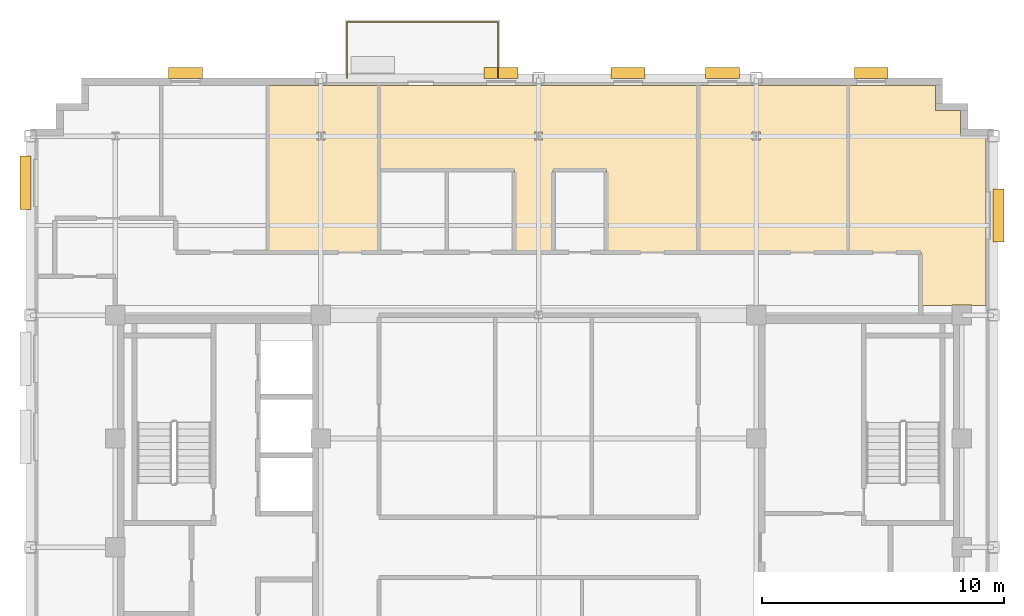
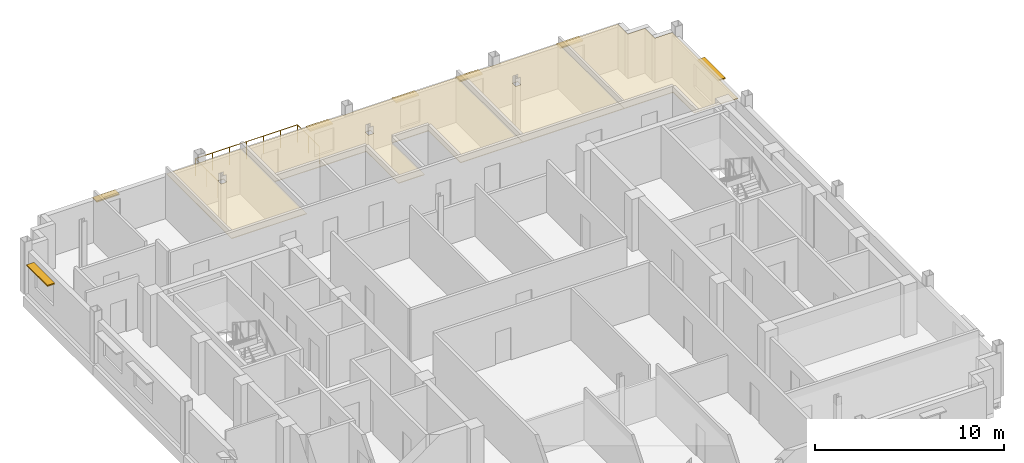
# One storey, part 14 of 14: 7 shading devices, 4 coverings, 1 railing.
"""IFC4 building model written with IfcOpenShell, lengths in metres."""

from ifc_helpers import new_model, si_unit, direction, frame, origin, origin_2d, place, context, subcontext, project, spatial, polyline, rectangle, circle, outline, extrude, source, transform, mapped, material, layer, layer_set, type_object, type_shapes, element, save


model = new_model("IFC4")

# Units and contexts
model_context = context("Model", 3, precision=1e-05, world=origin(), true_north=direction((0.0, 1.0)))
body_context = subcontext(model_context, "Body", "Model", "MODEL_VIEW")
ifc_project = project(units=[si_unit("LENGTHUNIT", "METRE"), si_unit("AREAUNIT", "SQUARE_METRE"), si_unit("VOLUMEUNIT", "CUBIC_METRE"), si_unit("PLANEANGLEUNIT", "RADIAN"), si_unit("MASSUNIT", "GRAM", prefix="KILO")], contexts=[model_context])

# Site, building, storey
site_placement = place(None, origin())
site = spatial("IfcSite", under=ifc_project, at=site_placement, CompositionType="ELEMENT")
building_placement = place(site_placement, origin())
building = spatial("IfcBuilding", under=site, at=building_placement, Name="Nuvemarco Arch Tower", CompositionType="ELEMENT")
storey_placement = place(building_placement, frame((0.0, 0.0, 272.550048828125)))
storey = spatial("IfcBuildingStorey", under=building, at=storey_placement, Name="L72", CompositionType="ELEMENT", Elevation=272.550048828125)

# Coverings
ifc_material_1 = material(Name="Mineral acoustic ceiling tile")
ifc_layer = layer(ifc_material_1, 0.0400390625, Name="COV-ACOUSTIC-CLG")
ifc_layer_set = layer_set([ifc_layer], Name="Mineral acoustic ceiling tile")
covering_type = type_object("IfcCoveringType", Name="COV-ACOUSTIC-CLG", PredefinedType="CEILING", material=ifc_layer_set)
covering_1_placement = place(storey_placement, frame((0.0, 0.0, 2.849853515625)))
element("IfcCovering", 1, at=covering_1_placement, inside=storey, type_object=covering_type, Name="L72 suspended acoustic ceiling 1", PredefinedType="CEILING", context=body_context, shape_type="SweptSolid", body=[
    extrude(outline(polyline([(-1.0, 12.199951171875), (-1.0, 15.60009765625), (-3.800048828125, 15.60009765625), (-6.60009765625, 15.60009765625), (-6.60009765625, 19.10009765625), (6.60009765625, 19.10009765625), (6.60009765625, 12.199951171875), (2.800048828125, 12.199951171875), (2.800048828125, 15.60009765625), (0.60009765625, 15.60009765625), (0.60009765625, 12.199951171875), (-1.0, 12.199951171875)]), holes=[polyline([(0.169921875, 16.830078125), (0.169921875, 17.169921875), (-0.169921875, 17.169921875), (-0.169921875, 16.830078125), (0.169921875, 16.830078125)])]), origin(), (0.0, 0.0, 1.0), 0.0400390625),
])
covering_2_placement = place(storey_placement, frame((0.0, 0.0, 2.849853515625)))
element("IfcCovering", 2, at=covering_2_placement, inside=storey, type_object=covering_type, Name="L72 suspended acoustic ceiling 3", PredefinedType="CEILING", context=body_context, shape_type="SweptSolid", body=[
    extrude(outline(polyline([(18.5, 17.0), (18.5, 10.0), (17.9150390625, 10.0), (17.9150390625, 10.014892578125), (17.0849609375, 10.014892578125), (17.0849609375, 10.0), (15.800048828125, 10.0), (15.800048828125, 12.199951171875), (12.800048828125, 12.199951171875), (12.800048828125, 19.10009765625), (16.39990234375, 19.10009765625), (16.39990234375, 18.050048828125), (17.449951171875, 18.050048828125), (17.449951171875, 17.0), (18.5, 17.0)])), origin(), (0.0, 0.0, 1.0), 0.0400390625),
])
covering_3_placement = place(storey_placement, frame((0.0, 0.0, 2.849853515625)))
element("IfcCovering", 3, at=covering_3_placement, inside=storey, type_object=covering_type, Name="L72 suspended acoustic ceiling 4", PredefinedType="CEILING", context=body_context, shape_type="SweptSolid", body=[
    extrude(outline(polyline([(12.800048828125, 12.199951171875), (9.0, 12.199951171875), (6.60009765625, 12.199951171875), (6.60009765625, 19.10009765625), (12.800048828125, 19.10009765625), (12.800048828125, 12.199951171875)]), holes=[polyline([(9.169921875, 17.169921875), (8.830078125, 17.169921875), (8.830078125, 16.830078125), (9.169921875, 16.830078125), (9.169921875, 17.169921875)])]), origin(), (0.0, 0.0, 1.0), 0.0400390625),
])
covering_4_placement = place(storey_placement, frame((0.0, 0.0, 2.849853515625)))
element("IfcCovering", 4, at=covering_4_placement, inside=storey, type_object=covering_type, Name="L72 suspended acoustic ceiling 8", PredefinedType="CEILING", context=body_context, shape_type="SweptSolid", body=[
    extrude(outline(polyline([(-6.60009765625, 15.60009765625), (-6.60009765625, 12.199951171875), (-9.0, 12.199951171875), (-11.199951171875, 12.199951171875), (-11.199951171875, 19.10009765625), (-6.60009765625, 19.10009765625), (-6.60009765625, 15.60009765625)]), holes=[polyline([(-8.830078125, 17.169921875), (-9.169921875, 17.169921875), (-9.169921875, 16.830078125), (-8.830078125, 16.830078125), (-8.830078125, 17.169921875)])]), origin(), (0.0, 0.0, 1.0), 0.0400390625),
])

# Railing
ifc_material_2 = material(Name="Dark anodised balustrade steel S355", Category="steel")
railing_type = type_object("IfcRailingType", Name="RL-TERR-GUARD", PredefinedType="BALUSTRADE", material=ifc_material_2)
railing_placement = place(storey_placement, frame((-7.919921875, 19.39990234375, 0.0)))
element("IfcRailing", 5, at=railing_placement, inside=storey, type_object=railing_type, Name="L72 spiral terrace perimeter balustrade guard", PredefinedType="BALUSTRADE", context=body_context, shape_type="SweptSolid", body=[
    extrude(circle(Radius=0.02392578125, at=origin_2d()), frame((0.0, 0.0, 1.1259765625), z_axis=(0.0, 1.0, 0.0), x_axis=(-1.0, 0.0, 0.0)), (0.0, 0.0, 1.0), 2.320068359375),
    extrude(circle(Radius=0.02392578125, at=origin_2d()), frame((0.0, 2.320068359375, 1.1259765625), z_axis=(1.0, 0.0, 0.0), x_axis=(0.0, 1.0, 0.0)), (0.0, 0.0, 1.0), 6.239990234375),
    extrude(circle(Radius=0.02392578125, at=origin_2d()), frame((6.239990234375, 2.320068359375, 1.1259765625), z_axis=(0.0, -1.0, 0.0), x_axis=(1.0, 0.0, 0.0)), (0.0, 0.0, 1.0), 2.320068359375),
    extrude(circle(Radius=0.02099609375, at=origin_2d()), origin(), (0.0, 0.0, 1.0), 1.101806640625),
    extrude(circle(Radius=0.02099609375, at=origin_2d()), frame((0.0, 1.16015625, 0.0)), (0.0, 0.0, 1.0), 1.101806640625),
    extrude(circle(Radius=0.02099609375, at=origin_2d()), frame((0.0, 2.320068359375, 0.0)), (0.0, 0.0, 1.0), 1.101806640625),
    extrude(circle(Radius=0.02099609375, at=origin_2d()), frame((1.0400390625, 2.320068359375, 0.0)), (0.0, 0.0, 1.0), 1.101806640625),
    extrude(circle(Radius=0.02099609375, at=origin_2d()), frame((2.080078125, 2.320068359375, 0.0)), (0.0, 0.0, 1.0), 1.101806640625),
    extrude(circle(Radius=0.02099609375, at=origin_2d()), frame((3.1201171875, 2.320068359375, 0.0)), (0.0, 0.0, 1.0), 1.101806640625),
    extrude(circle(Radius=0.02099609375, at=origin_2d()), frame((4.159912109375, 2.320068359375, 0.0)), (0.0, 0.0, 1.0), 1.101806640625),
    extrude(circle(Radius=0.02099609375, at=origin_2d()), frame((5.199951171875, 2.320068359375, 0.0)), (0.0, 0.0, 1.0), 1.101806640625),
    extrude(circle(Radius=0.02099609375, at=origin_2d()), frame((6.239990234375, 2.320068359375, 0.0)), (0.0, 0.0, 1.0), 1.101806640625),
    extrude(circle(Radius=0.02099609375, at=origin_2d()), frame((6.239990234375, 1.16015625, 0.0)), (0.0, 0.0, 1.0), 1.101806640625),
    extrude(circle(Radius=0.02099609375, at=origin_2d()), frame((6.239990234375, 0.0, 0.0)), (0.0, 0.0, 1.0), 1.101806640625),
])

# Shading devices
ifc_material_3 = material(Name="Anodised aluminium 6063-T6", Category="aluminium")
shading_device_type_1 = type_object("IfcShadingDeviceType", Name="SHD-BRISE-SOLEIL", PredefinedType="USERDEFINED", material=ifc_material_3)
shared_shape_1 = source(origin(), body_context, "Body", "SweptSolid", [
    extrude(rectangle(XDim=2.199951171875, YDim=0.449951171875, at=origin_2d()), origin(), (0.0, 0.0, 1.0), 0.080078125),
])
type_shapes(shading_device_type_1, [shared_shape_1])
for number, where, z_axis, x_axis, name in (
    (6, (19.014892578125, 13.7177734375, 2.284912109375), (0.0, 0.0, 1.0), (0.0, 1.0, 0.0), "L72 horizontal brise-soleil sunshade"),
    (7, (-21.215087890625, 15.067626953125, 2.284912109375), (0.0, 0.0, 1.0), (0.0, 1.0, 0.0), "L72 horizontal brise-soleil sunshade"),
):
    element("IfcShadingDevice", number, at=place(storey_placement, frame(where, z_axis=z_axis, x_axis=x_axis)), inside=storey, type_object=shading_device_type_1, Name=name, ObjectType="SUNSHADE", PredefinedType="USERDEFINED", context=body_context, shape_type="MappedRepresentation", body=[
        mapped(shared_shape_1, transform((0.0, 0.0, 0.0), scale=1.0)),
    ])
shading_device_type_2 = type_object("IfcShadingDeviceType", Name="SHD-BRISE-NARROW", PredefinedType="USERDEFINED", material=ifc_material_3)
shared_shape_2 = source(origin(), body_context, "Body", "SweptSolid", [
    extrude(rectangle(XDim=1.39990234375, YDim=0.449951171875, at=origin_2d()), origin(), (0.0, 0.0, 1.0), 0.080078125),
])
type_shapes(shading_device_type_2, [shared_shape_2])
for number, where, z_axis, x_axis, name in (
    (8, (-14.60009765625, 19.614990234375, 2.284912109375), (0.0, 0.0, 1.0), (1.0, 0.0, 0.0), "L72 horizontal brise-soleil sunshade"),
    (9, (-1.550048828125, 19.614990234375, 2.284912109375), (0.0, 0.0, 1.0), (1.0, 0.0, 0.0), "L72 horizontal brise-soleil sunshade"),
    (10, (3.699951171875, 19.614990234375, 2.284912109375), (0.0, 0.0, 1.0), (1.0, 0.0, 0.0), "L72 horizontal brise-soleil sunshade"),
    (11, (7.60009765625, 19.614990234375, 2.284912109375), (0.0, 0.0, 1.0), (1.0, 0.0, 0.0), "L72 horizontal brise-soleil sunshade"),
    (12, (13.75, 19.614990234375, 2.284912109375), (0.0, 0.0, 1.0), (1.0, 0.0, 0.0), "L72 horizontal brise-soleil sunshade"),
):
    element("IfcShadingDevice", number, at=place(storey_placement, frame(where, z_axis=z_axis, x_axis=x_axis)), inside=storey, type_object=shading_device_type_2, Name=name, ObjectType="SUNSHADE", PredefinedType="USERDEFINED", context=body_context, shape_type="MappedRepresentation", body=[
        mapped(shared_shape_2, transform((0.0, 0.0, 0.0), scale=1.0)),
    ])

save(model, "model.ifc")
